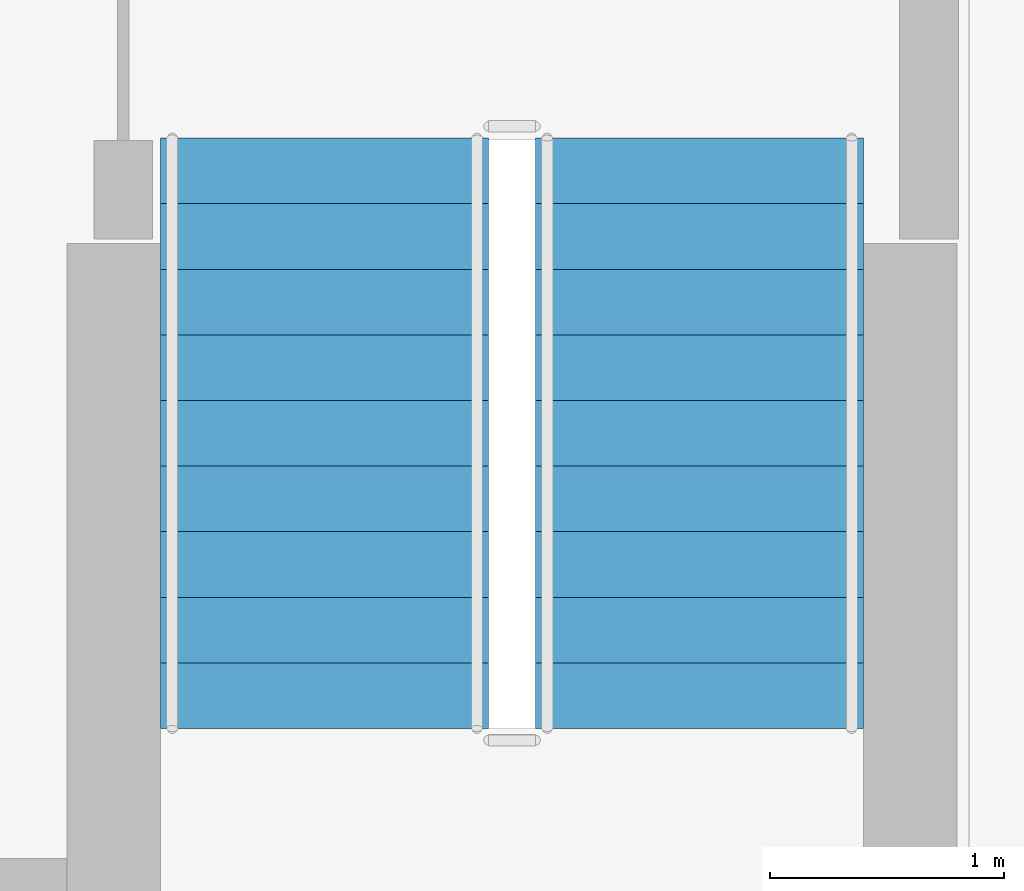
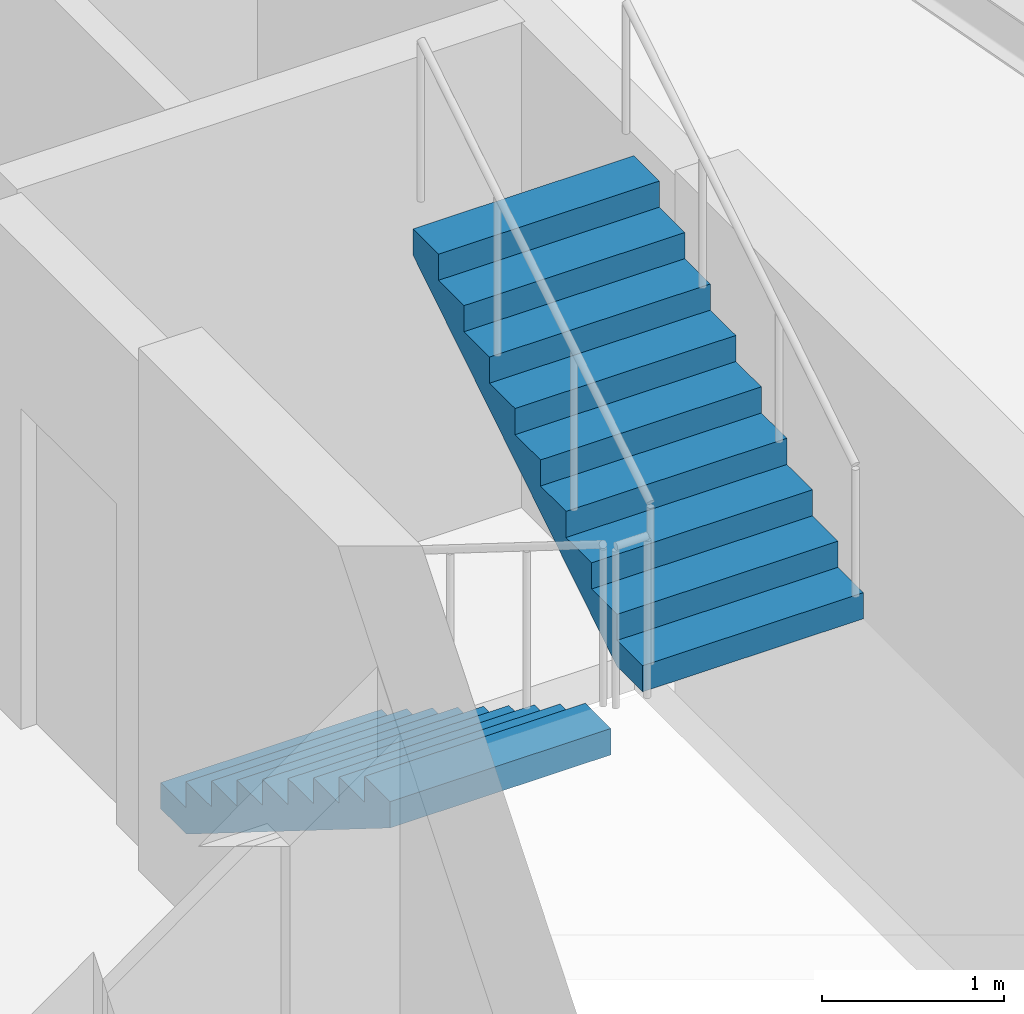
# One storey, part 10 of 14: 2 stair flights, 1 element without a shape of its own.
"""IFC4 building model written with IfcOpenShell, lengths in metres."""

from ifc_helpers import new_model, si_unit, direction, frame, origin, place, context, subcontext, project, spatial, polyline, outline, extrude, material, layer, layer_set, type_object, element, aggregate, save


model = new_model("IFC4")

# Units and contexts
model_context = context("Model", 3, precision=1e-05, world=origin(), true_north=direction((0.0, 1.0)))
body_context = subcontext(model_context, "Body", "Model", "MODEL_VIEW")
ifc_project = project(units=[si_unit("LENGTHUNIT", "METRE"), si_unit("AREAUNIT", "SQUARE_METRE"), si_unit("VOLUMEUNIT", "CUBIC_METRE"), si_unit("PLANEANGLEUNIT", "RADIAN"), si_unit("MASSUNIT", "GRAM", prefix="KILO")], contexts=[model_context])

# Site, building, storey
site_placement = place(None, origin())
site = spatial("IfcSite", under=ifc_project, at=site_placement, CompositionType="ELEMENT")
building_placement = place(site_placement, origin())
building = spatial("IfcBuilding", under=site, at=building_placement, Name="Quenlor Broadcast Tower", CompositionType="ELEMENT")
storey_placement = place(building_placement, frame((0.0, 0.0, 140.5)))
storey = spatial("IfcBuildingStorey", under=building, at=storey_placement, Name="L38", CompositionType="ELEMENT", Elevation=140.5)

# Stair, stair flights
ifc_material_1 = material(Name="Precast concrete C40/50", Category="concrete")
stair_type = type_object("IfcStairType", Name="Precast Concrete C40/50 Dogleg Stair H350", PredefinedType="HALF_TURN_STAIR", material=ifc_material_1)
stair_placement = place(storey_placement, origin())
stair = element("IfcStair", 1, at=stair_placement, inside=storey, type_object=stair_type, Name="L38 East Core Fire-Isolated Exit Stair ST-2", PredefinedType="HALF_TURN_STAIR")
ifc_material_2 = material(Name="Precast concrete C40/50", Category="concrete")
ifc_layer = layer(ifc_material_2, 0.159912109375)
ifc_layer_set = layer_set([ifc_layer], Name="Precast Concrete C40/50 Stair Flight H350")
stair_flight_type = type_object("IfcStairFlightType", Name="Precast Concrete C40/50 Stair Flight H350", PredefinedType="STRAIGHT", material=ifc_layer_set)
stair_flight_1_placement = place(storey_placement, frame((9.89990234375, -9.75, 0.0), z_axis=(0.0, 0.0, 1.0), x_axis=(0.0, -1.0, 0.0)))
stair_flight_1 = element("IfcStairFlight", 2, at=stair_flight_1_placement, type_object=stair_flight_type, Name="ST-2 flight 1", NumberOfRisers=10, NumberOfTreads=9, PredefinedType="STRAIGHT", RiserHeight=0.175, TreadLength=0.28, context=body_context, shape_type="SweptSolid", body=[
    extrude(outline(polyline([(0.0, 0.0), (0.0, 0.175048828125), (0.280029296875, 0.175048828125), (0.280029296875, 0.35009765625), (0.56005859375, 0.35009765625), (0.56005859375, 0.52490234375), (0.840087890625, 0.52490234375), (0.840087890625, 0.699951171875), (1.1201171875, 0.699951171875), (1.1201171875, 0.875), (1.39990234375, 0.875), (1.39990234375, 1.050048828125), (1.679931640625, 1.050048828125), (1.679931640625, 1.22509765625), (1.9599609375, 1.22509765625), (1.9599609375, 1.39990234375), (2.239990234375, 1.39990234375), (2.239990234375, 1.574951171875), (2.52001953125, 1.574951171875), (2.52001953125, 1.75), (2.52001953125, 1.398193359375), (0.28271484375, 0.0), (0.0, 0.0)])), frame((0.0, 0.699951171875, 0.0), z_axis=(0.0, -1.0, 0.0), x_axis=(1.0, 0.0, 0.0)), (0.0, 0.0, 1.0), 1.39990234375),
])
stair_flight_2_placement = place(storey_placement, frame((11.5, -12.27001953125, 1.75), z_axis=(0.0, 0.0, 1.0), x_axis=(0.0, 1.0, 0.0)))
stair_flight_2 = element("IfcStairFlight", 3, at=stair_flight_2_placement, type_object=stair_flight_type, Name="ST-2 flight 2", NumberOfRisers=10, NumberOfTreads=9, PredefinedType="STRAIGHT", RiserHeight=0.175, TreadLength=0.28, context=body_context, shape_type="SweptSolid", body=[
    extrude(outline(polyline([(0.0, 0.0), (0.0, 0.175048828125), (0.280029296875, 0.175048828125), (0.280029296875, 0.35009765625), (0.56005859375, 0.35009765625), (0.56005859375, 0.52490234375), (0.840087890625, 0.52490234375), (0.840087890625, 0.699951171875), (1.1201171875, 0.699951171875), (1.1201171875, 0.875), (1.39990234375, 0.875), (1.39990234375, 1.050048828125), (1.679931640625, 1.050048828125), (1.679931640625, 1.22509765625), (1.9599609375, 1.22509765625), (1.9599609375, 1.39990234375), (2.239990234375, 1.39990234375), (2.239990234375, 1.574951171875), (2.52001953125, 1.574951171875), (2.52001953125, 1.75), (2.52001953125, 1.398193359375), (0.28271484375, 0.0), (0.0, 0.0)])), frame((0.0, 0.699951171875, 0.0), z_axis=(0.0, -1.0, 0.0), x_axis=(1.0, 0.0, 0.0)), (0.0, 0.0, 1.0), 1.39990234375),
])
aggregate(stair, [stair_flight_1, stair_flight_2])

save(model, "model.ifc")
